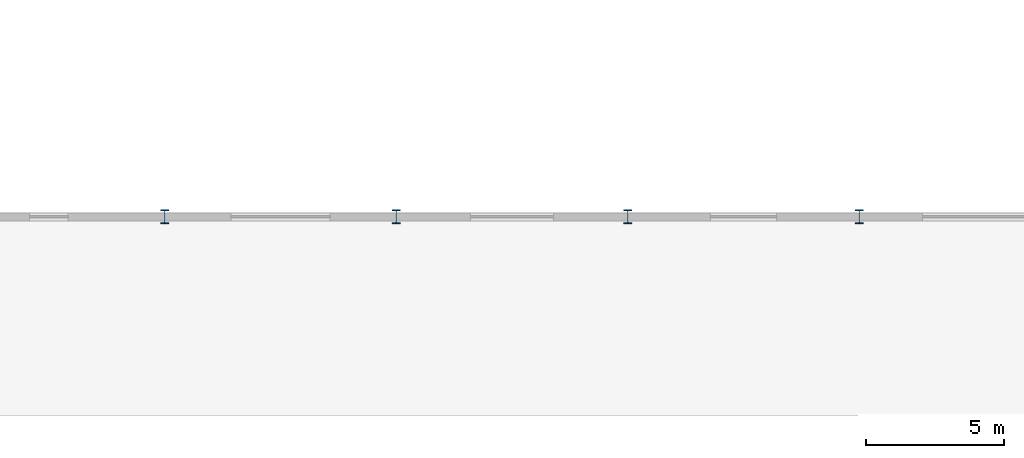
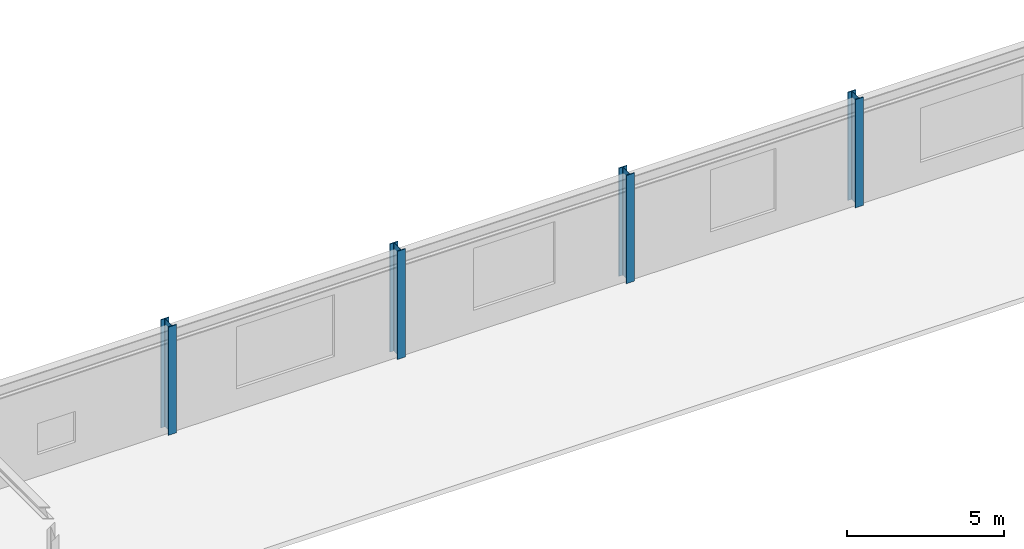
# One storey, part 10 of 73: 4 columns.
"""IFC4 building model written with IfcOpenShell, lengths in metres."""

from ifc_helpers import new_model, si_unit, derived_unit, direction, frame, origin, origin_2d, place, context, subcontext, project, spatial, i_section, extrude, material, material_profile, profile_set, type_object, element, save


model = new_model("IFC4")

# Units and contexts
model_context = context("Model", 3, precision=1e-05, world=origin(), true_north=direction((0.0, 1.0)))
body_context = subcontext(model_context, "Body", "Model", "MODEL_VIEW")
ifc_project = project(units=[si_unit("LENGTHUNIT", "METRE"), si_unit("AREAUNIT", "SQUARE_METRE"), si_unit("VOLUMEUNIT", "CUBIC_METRE"), si_unit("PLANEANGLEUNIT", "RADIAN"), si_unit("MASSUNIT", "GRAM", prefix="KILO"), derived_unit("THERMALTRANSMITTANCEUNIT", [(si_unit("MASSUNIT", "GRAM", prefix="KILO"), 1), (si_unit("TIMEUNIT", "SECOND"), -3), (si_unit("THERMODYNAMICTEMPERATUREUNIT", "KELVIN"), -1)])], contexts=[model_context])

# Site, building, storey
site_placement = place(None, origin())
site = spatial("IfcSite", under=ifc_project, at=site_placement, CompositionType="ELEMENT")
building_placement = place(site_placement, origin())
building = spatial("IfcBuilding", under=site, at=building_placement, Name="Kharveza Railside Sports Centre", CompositionType="ELEMENT")
storey_placement = place(building_placement, frame((0.0, 0.0, 8.699951171875)))
storey = spatial("IfcBuildingStorey", under=building, at=storey_placement, Name="L02", CompositionType="ELEMENT", Elevation=8.699951171875)

# Columns
ifc_material = material(Name="Steel S355J2", Category="steel")
ifc_material_profile = material_profile(ifc_material, i_section(OverallWidth=0.300048828125, OverallDepth=0.5, WebThickness=0.014404296875, FlangeThickness=0.028076171875, FilletRadius=0.027099609375, at=origin_2d()), Name="HEB 500")
ifc_profile_set = profile_set([ifc_material_profile], Name="Steel S355J2")
column_type = type_object("IfcColumnType", Name="COL-S03", PredefinedType="COLUMN", material=ifc_profile_set)
for number, where, z_axis, x_axis, name in (
    (1, (100.800048828125, 79.199951171875, 0.0), (0.0, 0.0, 1.0), (1.0, 0.0, 0.0), "COL-G-C03-X1008-Y792-L02"),
    (2, (109.199951171875, 79.199951171875, 0.0), (0.0, 0.0, 1.0), (1.0, 0.0, 0.0), "COL-G-C03-X1092-Y792-L02"),
    (3, (117.60009765625, 79.199951171875, 0.0), (0.0, 0.0, 1.0), (1.0, 0.0, 0.0), "COL-G-C03-X1176-Y792-L02"),
    (4, (126.0, 79.199951171875, 0.0), (0.0, 0.0, 1.0), (1.0, 0.0, 0.0), "COL-G-C03-X1260-Y792-L02"),
):
    element("IfcColumn", number, at=place(storey_placement, frame(where, z_axis=z_axis, x_axis=x_axis)), inside=storey, type_object=column_type, Name=name, PredefinedType="COLUMN", context=body_context, shape_type="SweptSolid", body=[
        extrude(i_section(OverallWidth=0.300048828125, OverallDepth=0.5, WebThickness=0.014404296875, FlangeThickness=0.028076171875, FilletRadius=0.027099609375, at=origin_2d()), origin(), (0.0, 0.0, 1.0), 4.199951171875),
    ])

save(model, "model.ifc")
